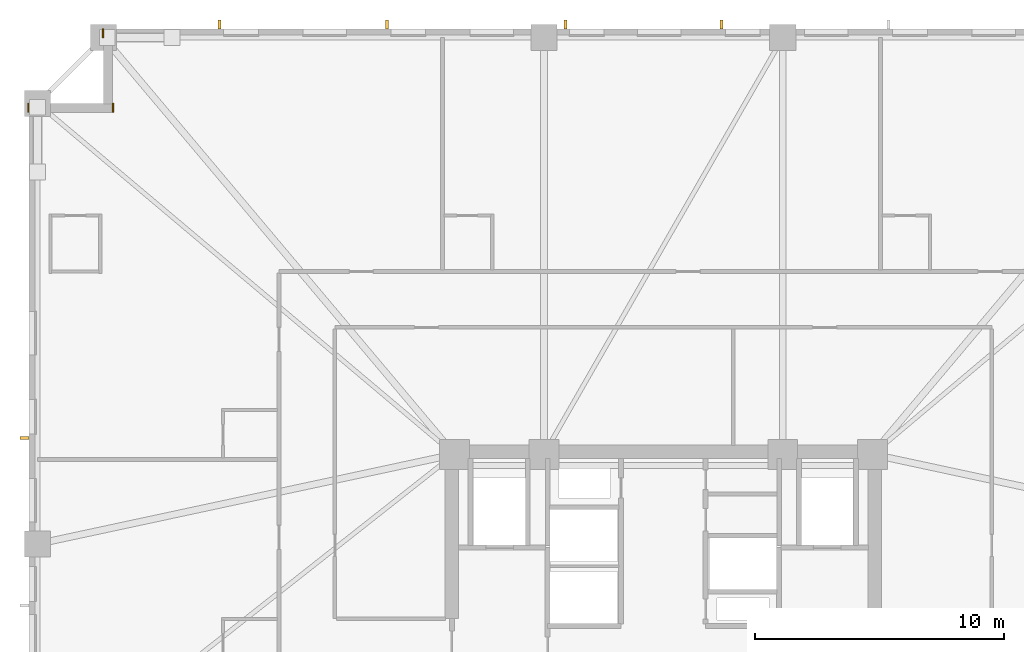
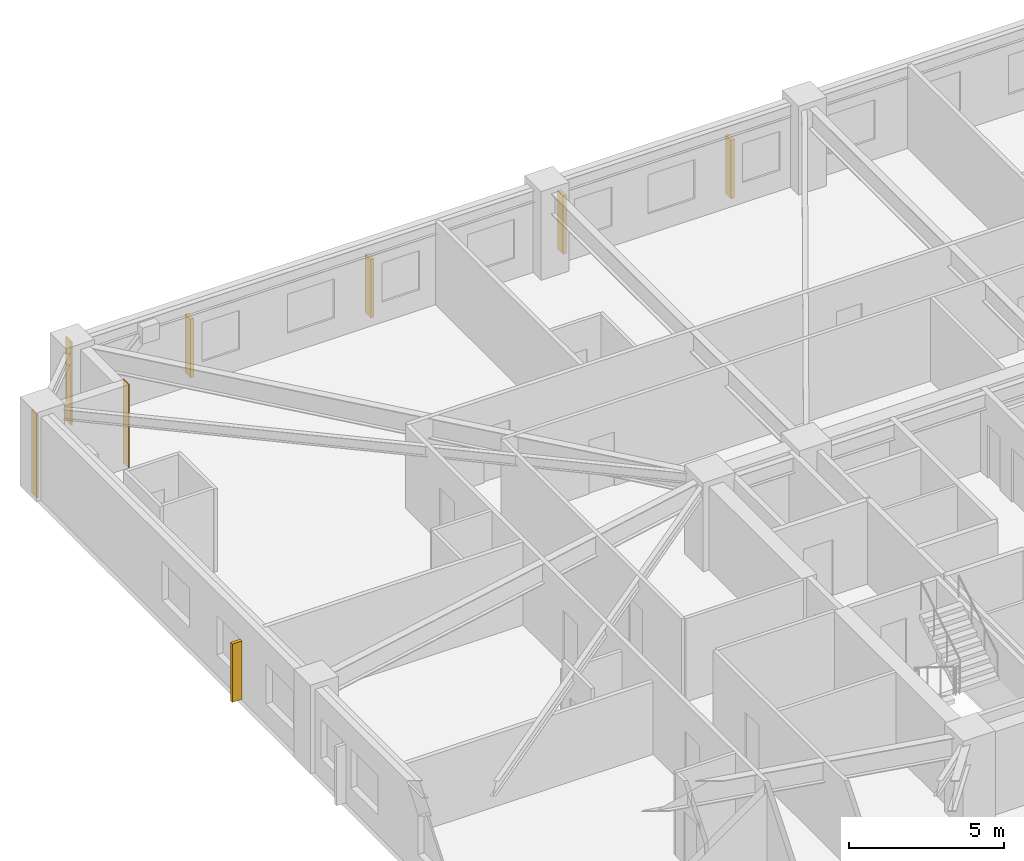
# One storey, part 10 of 11: 5 shading devices, 3 coverings.
"""IFC4 building model written with IfcOpenShell, lengths in metres."""

from ifc_helpers import new_model, si_unit, direction, frame, frame_2d, origin, origin_2d, place, context, subcontext, project, spatial, rectangle, extrude, material, layer, layer_set, type_object, element, save


model = new_model("IFC4")

# Units and contexts
model_context = context("Model", 3, precision=1e-05, world=origin(), true_north=direction((0.0, 1.0)))
body_context = subcontext(model_context, "Body", "Model", "MODEL_VIEW")
ifc_project = project(units=[si_unit("LENGTHUNIT", "METRE"), si_unit("AREAUNIT", "SQUARE_METRE"), si_unit("VOLUMEUNIT", "CUBIC_METRE"), si_unit("PLANEANGLEUNIT", "RADIAN"), si_unit("MASSUNIT", "GRAM", prefix="KILO")], contexts=[model_context])

# Site, building, storey
site_placement = place(None, origin())
site = spatial("IfcSite", under=ifc_project, at=site_placement, CompositionType="ELEMENT")
building_placement = place(site_placement, origin())
building = spatial("IfcBuilding", under=site, at=building_placement, Name="Cairnveth Concourse Tower", CompositionType="ELEMENT")
storey_placement = place(building_placement, frame((0.0, 0.0, 76.0)))
storey = spatial("IfcBuildingStorey", under=building, at=storey_placement, Name="L20", CompositionType="ELEMENT", Elevation=76.0)

# Coverings
ifc_material_1 = material(Name="Dressed Melbourne Bluestone Cladding", Category="masonry")
ifc_layer = layer(ifc_material_1, 0.050048828125)
ifc_layer_set = layer_set([ifc_layer], Name="Dressed Melbourne Bluestone Cladding")
covering_type = type_object("IfcCoveringType", Name="DRESSED BLUESTONE PLINTH CLADDING 50", PredefinedType="CLADDING", material=ifc_layer_set)
for number, where, z_axis, x_axis, name in (
    (1, (26.47998046875, 61.139892578125, 0.0), (0.0, 0.0, 1.0), (0.0, 1.0, 0.0), "Melbourne Bluestone Corner Quoin L20-270"),
    (2, (29.8798828125, 61.139892578125, 0.0), (0.0, 0.0, 1.0), (0.0, 1.0, 0.0), "Melbourne Bluestone Corner Quoin L20-271"),
    (3, (29.47998046875, 64.139892578125, 0.0), (0.0, 0.0, 1.0), (0.0, 1.0, 0.0), "Melbourne Bluestone Corner Quoin L20-272"),
):
    element("IfcCovering", number, at=place(storey_placement, frame(where, z_axis=z_axis, x_axis=x_axis)), inside=storey, type_object=covering_type, Name=name, PredefinedType="CLADDING", context=body_context, shape_type="SweptSolid", body=[
        extrude(rectangle(XDim=0.360107421875, YDim=0.050048828125, at=frame_2d((0.18017578125, 0.0))), origin(), (0.0, 0.0, 1.0), 3.280029296875),
    ])

# Shading devices
ifc_material_2 = material(Name="Architectural Bronze Anodised Aluminium 6063-T6", Category="aluminium")
shading_device_type = type_object("IfcShadingDeviceType", Name="GOTHIC BRONZE VERTICAL LANCET FIN", PredefinedType="USERDEFINED", material=ifc_material_2)
for number, where, z_axis, x_axis, name in (
    (4, (26.324951171875, 48.051513671875, 0.02978515625), (0.0, 0.0, 1.0), (0.0, 1.0, 0.0), "Gothic Bronze Vertical Fin L20-6-9"),
    (5, (34.170166015625, 64.675048828125, 0.02978515625), (0.0, 0.0, 1.0), (1.0, 0.0, 0.0), "Gothic Bronze Vertical Fin L20-9-1"),
    (6, (40.890380859375, 64.675048828125, 0.02978515625), (0.0, 0.0, 1.0), (1.0, 0.0, 0.0), "Gothic Bronze Vertical Fin L20-9-3"),
    (7, (48.060791015625, 64.675048828125, 0.02978515625), (0.0, 0.0, 1.0), (1.0, 0.0, 0.0), "Gothic Bronze Vertical Fin L20-9-5"),
    (8, (54.331298828125, 64.675048828125, 0.02978515625), (0.0, 0.0, 1.0), (1.0, 0.0, 0.0), "Gothic Bronze Vertical Fin L20-9-7"),
):
    element("IfcShadingDevice", number, at=place(storey_placement, frame(where, z_axis=z_axis, x_axis=x_axis)), inside=storey, type_object=shading_device_type, Name=name, ObjectType="VERTICAL FIN", PredefinedType="USERDEFINED", context=body_context, shape_type="SweptSolid", body=[
        extrude(rectangle(XDim=0.1201171875, YDim=0.360107421875, at=origin_2d()), origin(), (0.0, 0.0, 1.0), 2.303955078125),
    ])

save(model, "model.ifc")
